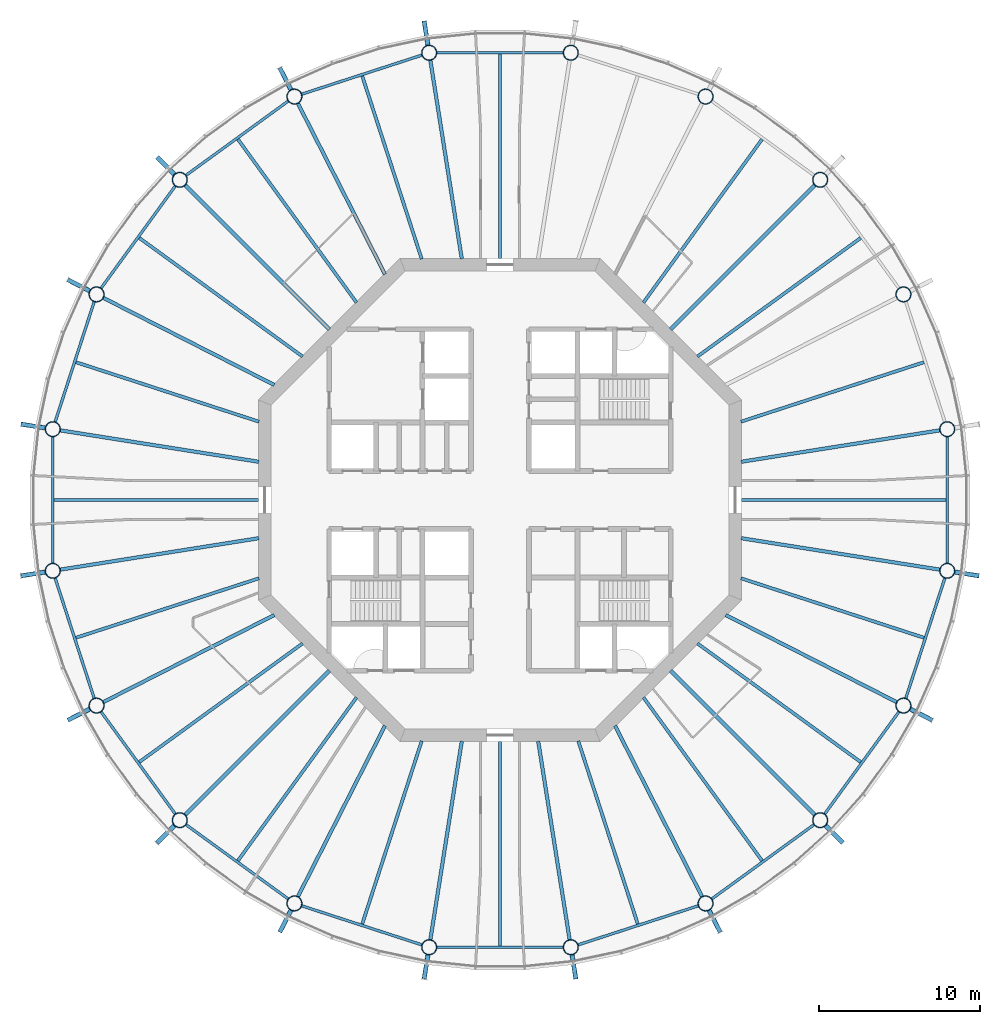
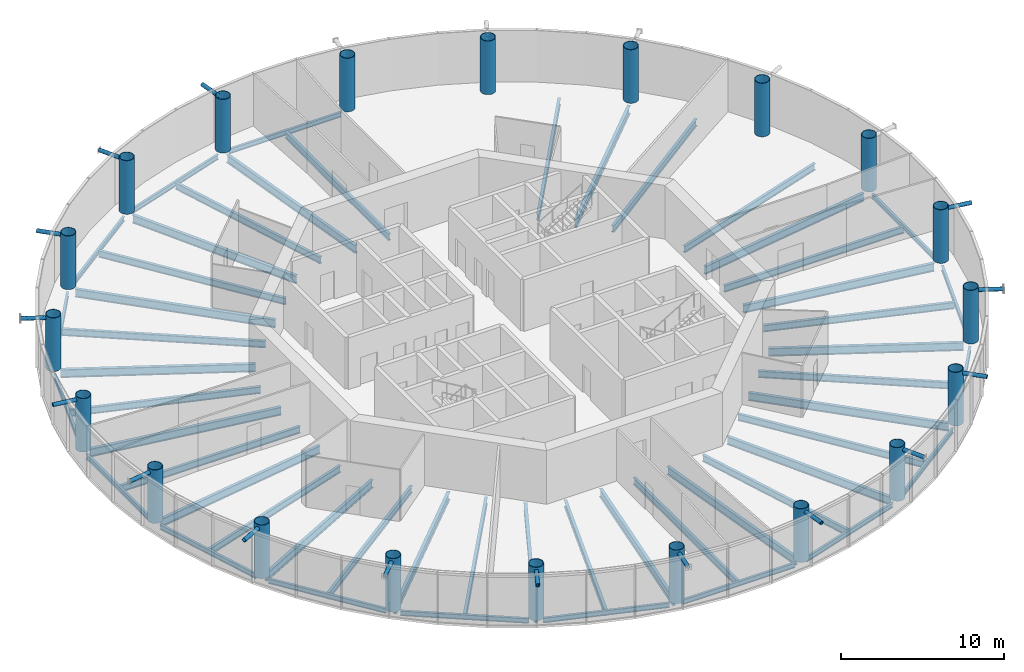
# One storey, part 1 of 17: 52 beams, 20 columns, 15 members.
"""IFC4 building model written with IfcOpenShell, lengths in metres."""

from ifc_helpers import new_model, si_unit, direction, frame, origin, origin_2d, place, context, subcontext, project, spatial, circle, hollow_circle, i_section, extrude, material, material_profile, profile_set, type_object, element, save


model = new_model("IFC4")

# Units and contexts
model_context = context("Model", 3, precision=1e-05, world=origin(), true_north=direction((0.0, 1.0)))
body_context = subcontext(model_context, "Body", "Model", "MODEL_VIEW")
ifc_project = project(units=[si_unit("LENGTHUNIT", "METRE"), si_unit("AREAUNIT", "SQUARE_METRE"), si_unit("VOLUMEUNIT", "CUBIC_METRE"), si_unit("PLANEANGLEUNIT", "RADIAN"), si_unit("MASSUNIT", "GRAM", prefix="KILO")], contexts=[model_context])

# Site, building, storey
site_placement = place(None, origin())
site = spatial("IfcSite", under=ifc_project, at=site_placement, CompositionType="ELEMENT")
building_placement = place(site_placement, origin())
building = spatial("IfcBuilding", under=site, at=building_placement, Name="Entoto Ring Tower", CompositionType="ELEMENT")
storey_placement = place(building_placement, frame((0.0, 0.0, 306.0)))
storey = spatial("IfcBuildingStorey", under=building, at=storey_placement, Name="L70", CompositionType="ELEMENT", Elevation=306.0)

# Columns
ifc_material_1 = material(Name="Steel S355", Category="steel")
ifc_material_profile_1 = material_profile(ifc_material_1, hollow_circle(Radius=0.47509765625, WallThickness=0.034912109375, at=origin_2d()), Name="CHS 950 x 35")
ifc_material_2 = material(Name="Concrete C60/75", Category="concrete")
ifc_material_profile_2 = material_profile(ifc_material_2, circle(Radius=0.43994140625, at=origin_2d()), Name="Concrete C60/75 infill")
ifc_profile_set_1 = profile_set([ifc_material_profile_1, ifc_material_profile_2], Name="Steel S355")
column_type = type_object("IfcColumnType", Name="Ring column 950 x 35 concrete-filled tube", PredefinedType="COLUMN", material=ifc_profile_set_1)
for number, where, z_axis, x_axis, name in (
    (1, (117.754150390625, 84.395751953125, 0.0), (0.0, 0.0, 1.0), (1.0, 0.0, 0.0), "RC5 R01"),
    (2, (115.037353515625, 92.757080078125, 0.0), (0.0, 0.0, 1.0), (1.0, 0.0, 0.0), "RC5 R02"),
    (3, (109.86962890625, 99.86962890625, 0.0), (0.0, 0.0, 1.0), (1.0, 0.0, 0.0), "RC5 R03"),
    (4, (102.757080078125, 105.037353515625, 0.0), (0.0, 0.0, 1.0), (1.0, 0.0, 0.0), "RC5 R04"),
    (5, (94.395751953125, 107.754150390625, 0.0), (0.0, 0.0, 1.0), (1.0, 0.0, 0.0), "RC5 R05"),
    (6, (85.604248046875, 107.754150390625, 0.0), (0.0, 0.0, 1.0), (1.0, 0.0, 0.0), "RC5 R06"),
    (7, (77.242919921875, 105.037353515625, 0.0), (0.0, 0.0, 1.0), (1.0, 0.0, 0.0), "RC5 R07"),
    (8, (70.13037109375, 99.86962890625, 0.0), (0.0, 0.0, 1.0), (1.0, 0.0, 0.0), "RC5 R08"),
    (9, (64.962646484375, 92.757080078125, 0.0), (0.0, 0.0, 1.0), (1.0, 0.0, 0.0), "RC5 R09"),
    (10, (62.245849609375, 84.395751953125, 0.0), (0.0, 0.0, 1.0), (1.0, 0.0, 0.0), "RC5 R10"),
    (11, (62.245849609375, 75.604248046875, 0.0), (0.0, 0.0, 1.0), (1.0, 0.0, 0.0), "RC5 R11"),
    (12, (64.962646484375, 67.242919921875, 0.0), (0.0, 0.0, 1.0), (1.0, 0.0, 0.0), "RC5 R12"),
    (13, (70.13037109375, 60.13037109375, 0.0), (0.0, 0.0, 1.0), (1.0, 0.0, 0.0), "RC5 R13"),
    (14, (77.242919921875, 54.962646484375, 0.0), (0.0, 0.0, 1.0), (1.0, 0.0, 0.0), "RC5 R14"),
    (15, (85.604248046875, 52.245849609375, 0.0), (0.0, 0.0, 1.0), (1.0, 0.0, 0.0), "RC5 R15"),
    (16, (94.395751953125, 52.245849609375, 0.0), (0.0, 0.0, 1.0), (1.0, 0.0, 0.0), "RC5 R16"),
    (17, (102.757080078125, 54.962646484375, 0.0), (0.0, 0.0, 1.0), (1.0, 0.0, 0.0), "RC5 R17"),
    (18, (109.86962890625, 60.13037109375, 0.0), (0.0, 0.0, 1.0), (1.0, 0.0, 0.0), "RC5 R18"),
    (19, (115.037353515625, 67.242919921875, 0.0), (0.0, 0.0, 1.0), (1.0, 0.0, 0.0), "RC5 R19"),
    (20, (117.754150390625, 75.604248046875, 0.0), (0.0, 0.0, 1.0), (1.0, 0.0, 0.0), "RC5 R20"),
):
    element("IfcColumn", number, at=place(storey_placement, frame(where, z_axis=z_axis, x_axis=x_axis)), inside=storey, type_object=column_type, Name=name, PredefinedType="COLUMN", context=body_context, shape_type="SweptSolid", body=[
        extrude(hollow_circle(Radius=0.47509765625, WallThickness=0.034912109375, at=origin_2d()), origin(), (0.0, 0.0, 1.0), 4.0),
    ])

# Members
ifc_material_3 = material(Name="Steel S355", Category="steel")
ifc_material_profile_3 = material_profile(ifc_material_3, hollow_circle(Radius=0.136474609375, WallThickness=0.012451171875, at=origin_2d()), Name="CHS 273 x 12.5")
ifc_material_4 = material(Name="Concrete C60/75", Category="concrete")
ifc_material_profile_4 = material_profile(ifc_material_4, circle(Radius=0.1240234375, at=origin_2d()), Name="Concrete C60/75 infill")
ifc_profile_set_2 = profile_set([ifc_material_profile_3, ifc_material_profile_4], Name="Steel S355")
member_type = type_object("IfcMemberType", Name="Diagrid node strut 273 x 12.5", PredefinedType="STRUT", material=ifc_profile_set_2)
for number, where, z_axis, x_axis, name in (
    (21, (85.5361328125, 108.18359375, 3.71337890625), (-0.156451161263, 0.987685696029, 0.0), (-0.987685696029, -0.156451161263, 0.0), "DS2 strut ring 23 05"),
    (22, (77.04541015625, 105.4248046875, 3.71337890625), (-0.45393980222, 0.891032354048, 0.0), (-0.891032354048, -0.45393980222, 0.0), "DS2 strut ring 23 06"),
    (23, (69.82275390625, 100.17724609375, 3.71337890625), (-0.707106781187, 0.707106781187, 0.0), (-0.707106781187, -0.707106781187, 0.0), "DS2 strut ring 23 07"),
    (24, (64.5751953125, 92.95458984375, 3.71337890625), (-0.891032354048, 0.45393980222, 0.0), (-0.45393980222, -0.891032354048, 0.0), "DS2 strut ring 23 08"),
    (25, (61.81640625, 84.4638671875, 3.71337890625), (-0.987685696029, 0.156451161263, 0.0), (-0.156451161263, -0.987685696029, 0.0), "DS2 strut ring 23 09"),
    (26, (61.81640625, 75.5361328125, 3.71337890625), (-0.987685696029, -0.156451161263, 0.0), (0.156451161263, -0.987685696029, 0.0), "DS2 strut ring 23 10"),
    (27, (64.5751953125, 67.04541015625, 3.71337890625), (-0.891032354048, -0.45393980222, 0.0), (0.45393980222, -0.891032354048, 0.0), "DS2 strut ring 23 11"),
    (28, (69.82275390625, 59.82275390625, 3.71337890625), (-0.707106781187, -0.707106781187, 0.0), (0.707106781187, -0.707106781187, 0.0), "DS2 strut ring 23 12"),
    (29, (77.04541015625, 54.5751953125, 3.71337890625), (-0.45393980222, -0.891032354048, 0.0), (0.891032354048, -0.45393980222, 0.0), "DS2 strut ring 23 13"),
    (30, (85.5361328125, 51.81640625, 3.71337890625), (-0.156451161263, -0.987685696029, 0.0), (0.987685696029, -0.156451161263, 0.0), "DS2 strut ring 23 14"),
    (31, (94.4638671875, 51.81640625, 3.71337890625), (0.156451161263, -0.987685696029, 0.0), (0.987685696029, 0.156451161263, 0.0), "DS2 strut ring 23 15"),
    (32, (102.95458984375, 54.5751953125, 3.71337890625), (0.45393980222, -0.891032354048, 0.0), (0.891032354048, 0.45393980222, 0.0), "DS2 strut ring 23 16"),
    (33, (110.17724609375, 59.82275390625, 3.71337890625), (0.707106781187, -0.707106781187, 0.0), (0.707106781187, 0.707106781187, 0.0), "DS2 strut ring 23 17"),
    (34, (115.4248046875, 67.04541015625, 3.71337890625), (0.891032354048, -0.45393980222, 0.0), (0.45393980222, 0.891032354048, 0.0), "DS2 strut ring 23 18"),
    (35, (118.18359375, 75.5361328125, 3.71337890625), (0.987685696029, -0.156451161263, 0.0), (0.156451161263, 0.987685696029, 0.0), "DS2 strut ring 23 19"),
):
    element("IfcMember", number, at=place(storey_placement, frame(where, z_axis=z_axis, x_axis=x_axis)), inside=storey, type_object=member_type, Name=name, PredefinedType="STRUT", context=body_context, shape_type="SweptSolid", body=[
        extrude(hollow_circle(Radius=0.136474609375, WallThickness=0.012451171875, at=origin_2d()), origin(), (0.0, 0.0, 1.0), 1.565185546875),
    ])

# Beams
ifc_material_5 = material(Name="Steel S355", Category="steel")
ifc_material_profile_5 = material_profile(ifc_material_5, i_section(OverallWidth=0.169921875, OverallDepth=0.360107421875, WebThickness=0.008056640625, FlangeThickness=0.0126953125, FilletRadius=0.01806640625, at=origin_2d()), Name="IPE 360")
ifc_profile_set_3 = profile_set([ifc_material_profile_5], Name="Steel S355")
beam_type_1 = type_object("IfcBeamType", Name="Edge beam IPE 360", PredefinedType="SPANDREL", material=ifc_profile_set_3)
for number, where, z_axis, x_axis, name in (
    (36, (93.948486328125, 107.754150390625, -0.330078125), (-1.0, 0.0, 0.0), (0.0, -1.0, 0.0), "Edge beam L70 05"),
    (37, (85.1787109375, 107.61572265625, -0.330078125), (-0.951061101079, -0.309002883506, 0.0), (0.309002883506, -0.951061101079, 0.0), "Edge beam L70 06"),
):
    element("IfcBeam", number, at=place(storey_placement, frame(where, z_axis=z_axis, x_axis=x_axis)), inside=storey, type_object=beam_type_1, Name=name, PredefinedType="SPANDREL", context=body_context, shape_type="SweptSolid", body=[
        extrude(i_section(OverallWidth=0.169921875, OverallDepth=0.360107421875, WebThickness=0.008056640625, FlangeThickness=0.0126953125, FilletRadius=0.01806640625, at=origin_2d()), origin(), (0.0, 0.0, 1.0), 7.89697265625),
    ])
for number, where, z_axis, x_axis, name in (
    (38, (76.881103515625, 104.7744140625, -0.330078125), (-0.809015398073, -0.587787449408, 0.0), (0.587787449408, -0.809015398073, 0.0), "Edge beam L70 07"),
    (39, (69.867431640625, 99.5078125, -0.330078125), (-0.587787449408, -0.809015398073, 0.0), (0.809015398073, -0.587787449408, 0.0), "Edge beam L70 08"),
):
    element("IfcBeam", number, at=place(storey_placement, frame(where, z_axis=z_axis, x_axis=x_axis)), inside=storey, type_object=beam_type_1, Name=name, PredefinedType="SPANDREL", context=body_context, shape_type="SweptSolid", body=[
        extrude(i_section(OverallWidth=0.169921875, OverallDepth=0.360107421875, WebThickness=0.008056640625, FlangeThickness=0.0126953125, FilletRadius=0.01806640625, at=origin_2d()), origin(), (0.0, 0.0, 1.0), 7.897216796875),
    ])
for number, where, z_axis, x_axis, name in (
    (40, (64.824462890625, 92.331787109375, -0.330078125), (-0.309002883506, -0.951061101079, 0.0), (0.951061101079, -0.309002883506, 0.0), "Edge beam L70 09"),
    (41, (62.245849609375, 83.948486328125, -0.330078125), (0.0, -1.0, 0.0), (1.0, 0.0, 0.0), "Edge beam L70 10"),
    (42, (62.38427734375, 75.1787109375, -0.330078125), (0.309002883506, -0.951061101079, 0.0), (0.951061101079, 0.309002883506, 0.0), "Edge beam L70 11"),
):
    element("IfcBeam", number, at=place(storey_placement, frame(where, z_axis=z_axis, x_axis=x_axis)), inside=storey, type_object=beam_type_1, Name=name, PredefinedType="SPANDREL", context=body_context, shape_type="SweptSolid", body=[
        extrude(i_section(OverallWidth=0.169921875, OverallDepth=0.360107421875, WebThickness=0.008056640625, FlangeThickness=0.0126953125, FilletRadius=0.01806640625, at=origin_2d()), origin(), (0.0, 0.0, 1.0), 7.89697265625),
    ])
for number, where, z_axis, x_axis, name in (
    (43, (65.2255859375, 66.881103515625, -0.330078125), (0.587787449408, -0.809015398073, 0.0), (0.809015398073, 0.587787449408, 0.0), "Edge beam L70 12"),
    (44, (70.4921875, 59.867431640625, -0.330078125), (0.809015398073, -0.587787449408, 0.0), (0.587787449408, 0.809015398073, 0.0), "Edge beam L70 13"),
):
    element("IfcBeam", number, at=place(storey_placement, frame(where, z_axis=z_axis, x_axis=x_axis)), inside=storey, type_object=beam_type_1, Name=name, PredefinedType="SPANDREL", context=body_context, shape_type="SweptSolid", body=[
        extrude(i_section(OverallWidth=0.169921875, OverallDepth=0.360107421875, WebThickness=0.008056640625, FlangeThickness=0.0126953125, FilletRadius=0.01806640625, at=origin_2d()), origin(), (0.0, 0.0, 1.0), 7.897216796875),
    ])
for number, where, z_axis, x_axis, name in (
    (45, (77.668212890625, 54.824462890625, -0.330078125), (0.951061101079, -0.309002883506, 0.0), (0.309002883506, 0.951061101079, 0.0), "Edge beam L70 14"),
    (46, (86.051513671875, 52.245849609375, -0.330078125), (1.0, 0.0, 0.0), (0.0, 1.0, 0.0), "Edge beam L70 15"),
    (47, (94.8212890625, 52.38427734375, -0.330078125), (0.951061101079, 0.309002883506, 0.0), (-0.309002883506, 0.951061101079, 0.0), "Edge beam L70 16"),
):
    element("IfcBeam", number, at=place(storey_placement, frame(where, z_axis=z_axis, x_axis=x_axis)), inside=storey, type_object=beam_type_1, Name=name, PredefinedType="SPANDREL", context=body_context, shape_type="SweptSolid", body=[
        extrude(i_section(OverallWidth=0.169921875, OverallDepth=0.360107421875, WebThickness=0.008056640625, FlangeThickness=0.0126953125, FilletRadius=0.01806640625, at=origin_2d()), origin(), (0.0, 0.0, 1.0), 7.89697265625),
    ])
for number, where, z_axis, x_axis, name in (
    (48, (103.118896484375, 55.2255859375, -0.330078125), (0.809015398073, 0.587787449408, 0.0), (-0.587787449408, 0.809015398073, 0.0), "Edge beam L70 17"),
    (49, (110.132568359375, 60.4921875, -0.330078125), (0.587787449408, 0.809015398073, 0.0), (-0.809015398073, 0.587787449408, 0.0), "Edge beam L70 18"),
):
    element("IfcBeam", number, at=place(storey_placement, frame(where, z_axis=z_axis, x_axis=x_axis)), inside=storey, type_object=beam_type_1, Name=name, PredefinedType="SPANDREL", context=body_context, shape_type="SweptSolid", body=[
        extrude(i_section(OverallWidth=0.169921875, OverallDepth=0.360107421875, WebThickness=0.008056640625, FlangeThickness=0.0126953125, FilletRadius=0.01806640625, at=origin_2d()), origin(), (0.0, 0.0, 1.0), 7.897216796875),
    ])
for number, where, z_axis, x_axis, name in (
    (50, (115.175537109375, 67.668212890625, -0.330078125), (0.309002883506, 0.951061101079, 0.0), (-0.951061101079, 0.309002883506, 0.0), "Edge beam L70 19"),
    (51, (117.754150390625, 76.051513671875, -0.330078125), (0.0, 1.0, 0.0), (-1.0, 0.0, 0.0), "Edge beam L70 20"),
):
    element("IfcBeam", number, at=place(storey_placement, frame(where, z_axis=z_axis, x_axis=x_axis)), inside=storey, type_object=beam_type_1, Name=name, PredefinedType="SPANDREL", context=body_context, shape_type="SweptSolid", body=[
        extrude(i_section(OverallWidth=0.169921875, OverallDepth=0.360107421875, WebThickness=0.008056640625, FlangeThickness=0.0126953125, FilletRadius=0.01806640625, at=origin_2d()), origin(), (0.0, 0.0, 1.0), 7.89697265625),
    ])
ifc_material_6 = material(Name="Steel S355", Category="steel")
ifc_material_profile_6 = material_profile(ifc_material_6, i_section(OverallWidth=0.219970703125, OverallDepth=0.60009765625, WebThickness=0.011962890625, FlangeThickness=0.01904296875, FilletRadius=0.02392578125, at=origin_2d()), Name="IPE 600")
ifc_profile_set_4 = profile_set([ifc_material_profile_6], Name="Steel S355")
beam_type_2 = type_object("IfcBeamType", Name="Primary floor beam IPE 600", PredefinedType="BEAM", material=ifc_profile_set_4)
beam_1_placement = place(storey_placement, frame((104.963134765625, 82.369873046875, -0.449951171875), z_axis=(0.987687519796, 0.156439647277, 0.0), x_axis=(-0.156439647277, 0.987687519796, 0.0)))
element("IfcBeam", 52, at=beam_1_placement, inside=storey, type_object=beam_type_2, Name="Primary L70 R01", PredefinedType="BEAM", context=body_context, shape_type="SweptSolid", body=[
    extrude(i_section(OverallWidth=0.219970703125, OverallDepth=0.60009765625, WebThickness=0.011962890625, FlangeThickness=0.01904296875, FilletRadius=0.02392578125, at=origin_2d()), origin(), (0.0, 0.0, 1.0), 12.50830078125),
])
beam_2_placement = place(storey_placement, frame((100.592529296875, 90.592529296875, -0.449951171875), z_axis=(0.707106781187, 0.707106781187, 0.0), x_axis=(-0.707106781187, 0.707106781187, 0.0)))
element("IfcBeam", 53, at=beam_2_placement, inside=storey, type_object=beam_type_2, Name="Primary L70 R03", PredefinedType="BEAM", context=body_context, shape_type="SweptSolid", body=[
    extrude(i_section(OverallWidth=0.219970703125, OverallDepth=0.60009765625, WebThickness=0.011962890625, FlangeThickness=0.01904296875, FilletRadius=0.02392578125, at=origin_2d()), origin(), (0.0, 0.0, 1.0), 12.677978515625),
])
beam_3_placement = place(storey_placement, frame((87.630126953125, 94.963134765625, -0.449951171875), z_axis=(-0.156439647277, 0.987687519796, 0.0), x_axis=(-0.987687519796, -0.156439647277, 0.0)))
element("IfcBeam", 54, at=beam_3_placement, inside=storey, type_object=beam_type_2, Name="Primary L70 R06", PredefinedType="BEAM", context=body_context, shape_type="SweptSolid", body=[
    extrude(i_section(OverallWidth=0.219970703125, OverallDepth=0.60009765625, WebThickness=0.011962890625, FlangeThickness=0.01904296875, FilletRadius=0.02392578125, at=origin_2d()), origin(), (0.0, 0.0, 1.0), 12.50830078125),
])
beam_4_placement = place(storey_placement, frame((82.864990234375, 94.003173828125, -0.449951171875), z_axis=(-0.453988257638, 0.891007666593, 0.0), x_axis=(-0.891007666593, -0.453988257638, 0.0)))
element("IfcBeam", 55, at=beam_4_placement, inside=storey, type_object=beam_type_2, Name="Primary L70 R07", PredefinedType="BEAM", context=body_context, shape_type="SweptSolid", body=[
    extrude(i_section(OverallWidth=0.219970703125, OverallDepth=0.60009765625, WebThickness=0.011962890625, FlangeThickness=0.01904296875, FilletRadius=0.02392578125, at=origin_2d()), origin(), (0.0, 0.0, 1.0), 11.941650390625),
])
beam_5_placement = place(storey_placement, frame((79.407470703125, 90.592529296875, -0.449951171875), z_axis=(-0.707106781187, 0.707106781187, 0.0), x_axis=(-0.707106781187, -0.707106781187, 0.0)))
element("IfcBeam", 56, at=beam_5_placement, inside=storey, type_object=beam_type_2, Name="Primary L70 R08", PredefinedType="BEAM", context=body_context, shape_type="SweptSolid", body=[
    extrude(i_section(OverallWidth=0.219970703125, OverallDepth=0.60009765625, WebThickness=0.011962890625, FlangeThickness=0.01904296875, FilletRadius=0.02392578125, at=origin_2d()), origin(), (0.0, 0.0, 1.0), 12.677978515625),
])
beam_6_placement = place(storey_placement, frame((75.996826171875, 87.135009765625, -0.449951171875), z_axis=(-0.891007666593, 0.453988257638, 0.0), x_axis=(-0.453988257638, -0.891007666593, 0.0)))
element("IfcBeam", 57, at=beam_6_placement, inside=storey, type_object=beam_type_2, Name="Primary L70 R09", PredefinedType="BEAM", context=body_context, shape_type="SweptSolid", body=[
    extrude(i_section(OverallWidth=0.219970703125, OverallDepth=0.60009765625, WebThickness=0.011962890625, FlangeThickness=0.01904296875, FilletRadius=0.02392578125, at=origin_2d()), origin(), (0.0, 0.0, 1.0), 11.941650390625),
])
for number, where, z_axis, x_axis, name in (
    (58, (75.036865234375, 82.369873046875, -0.449951171875), (-0.987687519796, 0.156439647277, 0.0), (-0.156439647277, -0.987687519796, 0.0), "Primary L70 R10"),
    (59, (75.036865234375, 77.630126953125, -0.449951171875), (-0.987687519796, -0.156439647277, 0.0), (0.156439647277, -0.987687519796, 0.0), "Primary L70 R11"),
):
    element("IfcBeam", number, at=place(storey_placement, frame(where, z_axis=z_axis, x_axis=x_axis)), inside=storey, type_object=beam_type_2, Name=name, PredefinedType="BEAM", context=body_context, shape_type="SweptSolid", body=[
        extrude(i_section(OverallWidth=0.219970703125, OverallDepth=0.60009765625, WebThickness=0.011962890625, FlangeThickness=0.01904296875, FilletRadius=0.02392578125, at=origin_2d()), origin(), (0.0, 0.0, 1.0), 12.50830078125),
    ])
beam_7_placement = place(storey_placement, frame((75.996826171875, 72.864990234375, -0.449951171875), z_axis=(-0.891007666593, -0.453988257638, 0.0), x_axis=(0.453988257638, -0.891007666593, 0.0)))
element("IfcBeam", 60, at=beam_7_placement, inside=storey, type_object=beam_type_2, Name="Primary L70 R12", PredefinedType="BEAM", context=body_context, shape_type="SweptSolid", body=[
    extrude(i_section(OverallWidth=0.219970703125, OverallDepth=0.60009765625, WebThickness=0.011962890625, FlangeThickness=0.01904296875, FilletRadius=0.02392578125, at=origin_2d()), origin(), (0.0, 0.0, 1.0), 11.941650390625),
])
beam_8_placement = place(storey_placement, frame((79.407470703125, 69.407470703125, -0.449951171875), z_axis=(-0.707106781187, -0.707106781187, 0.0), x_axis=(0.707106781187, -0.707106781187, 0.0)))
element("IfcBeam", 61, at=beam_8_placement, inside=storey, type_object=beam_type_2, Name="Primary L70 R13", PredefinedType="BEAM", context=body_context, shape_type="SweptSolid", body=[
    extrude(i_section(OverallWidth=0.219970703125, OverallDepth=0.60009765625, WebThickness=0.011962890625, FlangeThickness=0.01904296875, FilletRadius=0.02392578125, at=origin_2d()), origin(), (0.0, 0.0, 1.0), 12.677978515625),
])
beam_9_placement = place(storey_placement, frame((82.864990234375, 65.996826171875, -0.449951171875), z_axis=(-0.453988257638, -0.891007666593, 0.0), x_axis=(0.891007666593, -0.453988257638, 0.0)))
element("IfcBeam", 62, at=beam_9_placement, inside=storey, type_object=beam_type_2, Name="Primary L70 R14", PredefinedType="BEAM", context=body_context, shape_type="SweptSolid", body=[
    extrude(i_section(OverallWidth=0.219970703125, OverallDepth=0.60009765625, WebThickness=0.011962890625, FlangeThickness=0.01904296875, FilletRadius=0.02392578125, at=origin_2d()), origin(), (0.0, 0.0, 1.0), 11.941650390625),
])
for number, where, z_axis, x_axis, name in (
    (63, (87.630126953125, 65.036865234375, -0.449951171875), (-0.156439647277, -0.987687519796, 0.0), (0.987687519796, -0.156439647277, 0.0), "Primary L70 R15"),
    (64, (92.369873046875, 65.036865234375, -0.449951171875), (0.156439647277, -0.987687519796, 0.0), (0.987687519796, 0.156439647277, 0.0), "Primary L70 R16"),
):
    element("IfcBeam", number, at=place(storey_placement, frame(where, z_axis=z_axis, x_axis=x_axis)), inside=storey, type_object=beam_type_2, Name=name, PredefinedType="BEAM", context=body_context, shape_type="SweptSolid", body=[
        extrude(i_section(OverallWidth=0.219970703125, OverallDepth=0.60009765625, WebThickness=0.011962890625, FlangeThickness=0.01904296875, FilletRadius=0.02392578125, at=origin_2d()), origin(), (0.0, 0.0, 1.0), 12.50830078125),
    ])
beam_10_placement = place(storey_placement, frame((97.135009765625, 65.996826171875, -0.449951171875), z_axis=(0.453988257638, -0.891007666593, 0.0), x_axis=(0.891007666593, 0.453988257638, 0.0)))
element("IfcBeam", 65, at=beam_10_placement, inside=storey, type_object=beam_type_2, Name="Primary L70 R17", PredefinedType="BEAM", context=body_context, shape_type="SweptSolid", body=[
    extrude(i_section(OverallWidth=0.219970703125, OverallDepth=0.60009765625, WebThickness=0.011962890625, FlangeThickness=0.01904296875, FilletRadius=0.02392578125, at=origin_2d()), origin(), (0.0, 0.0, 1.0), 11.941650390625),
])
beam_11_placement = place(storey_placement, frame((100.592529296875, 69.407470703125, -0.449951171875), z_axis=(0.707106781187, -0.707106781187, 0.0), x_axis=(0.707106781187, 0.707106781187, 0.0)))
element("IfcBeam", 66, at=beam_11_placement, inside=storey, type_object=beam_type_2, Name="Primary L70 R18", PredefinedType="BEAM", context=body_context, shape_type="SweptSolid", body=[
    extrude(i_section(OverallWidth=0.219970703125, OverallDepth=0.60009765625, WebThickness=0.011962890625, FlangeThickness=0.01904296875, FilletRadius=0.02392578125, at=origin_2d()), origin(), (0.0, 0.0, 1.0), 12.677978515625),
])
beam_12_placement = place(storey_placement, frame((104.003173828125, 72.864990234375, -0.449951171875), z_axis=(0.891007666593, -0.453988257638, 0.0), x_axis=(0.453988257638, 0.891007666593, 0.0)))
element("IfcBeam", 67, at=beam_12_placement, inside=storey, type_object=beam_type_2, Name="Primary L70 R19", PredefinedType="BEAM", context=body_context, shape_type="SweptSolid", body=[
    extrude(i_section(OverallWidth=0.219970703125, OverallDepth=0.60009765625, WebThickness=0.011962890625, FlangeThickness=0.01904296875, FilletRadius=0.02392578125, at=origin_2d()), origin(), (0.0, 0.0, 1.0), 11.941650390625),
])
beam_13_placement = place(storey_placement, frame((104.963134765625, 77.630126953125, -0.449951171875), z_axis=(0.987687519796, -0.156439647277, 0.0), x_axis=(0.156439647277, 0.987687519796, 0.0)))
element("IfcBeam", 68, at=beam_13_placement, inside=storey, type_object=beam_type_2, Name="Primary L70 R20", PredefinedType="BEAM", context=body_context, shape_type="SweptSolid", body=[
    extrude(i_section(OverallWidth=0.219970703125, OverallDepth=0.60009765625, WebThickness=0.011962890625, FlangeThickness=0.01904296875, FilletRadius=0.02392578125, at=origin_2d()), origin(), (0.0, 0.0, 1.0), 12.50830078125),
])
ifc_material_7 = material(Name="Steel S355", Category="steel")
ifc_material_profile_7 = material_profile(ifc_material_7, i_section(OverallWidth=0.199951171875, OverallDepth=0.5, WebThickness=0.01025390625, FlangeThickness=0.01611328125, FilletRadius=0.02099609375, at=origin_2d()), Name="IPE 500")
ifc_profile_set_5 = profile_set([ifc_material_profile_7], Name="Steel S355")
beam_type_3 = type_object("IfcBeamType", Name="Secondary floor beam IPE 500", PredefinedType="JOIST", material=ifc_profile_set_5)
beam_14_placement = place(storey_placement, frame((104.9501953125, 84.857666015625, -0.39990234375), z_axis=(0.951056587506, 0.30901677521, 0.0), x_axis=(-0.30901677521, 0.951056587506, 0.0)))
element("IfcBeam", 69, at=beam_14_placement, inside=storey, type_object=beam_type_3, Name="Secondary beam L70 01", PredefinedType="JOIST", context=body_context, shape_type="SweptSolid", body=[
    extrude(i_section(OverallWidth=0.199951171875, OverallDepth=0.5, WebThickness=0.01025390625, FlangeThickness=0.01611328125, FilletRadius=0.02099609375, at=origin_2d()), origin(), (0.0, 0.0, 1.0), 11.94970703125),
])
for number, where, z_axis, x_axis, name in (
    (70, (102.257568359375, 88.905517578125, -0.39990234375), (0.80901431041, 0.587788946436, 0.0), (-0.587788946436, 0.80901431041, 0.0), "Secondary beam L70 02"),
    (71, (98.905517578125, 92.257568359375, -0.39990234375), (0.587788946436, 0.80901431041, 0.0), (-0.80901431041, 0.587788946436, 0.0), "Secondary beam L70 03"),
):
    element("IfcBeam", number, at=place(storey_placement, frame(where, z_axis=z_axis, x_axis=x_axis)), inside=storey, type_object=beam_type_3, Name=name, PredefinedType="JOIST", context=body_context, shape_type="SweptSolid", body=[
        extrude(i_section(OverallWidth=0.199951171875, OverallDepth=0.5, WebThickness=0.01025390625, FlangeThickness=0.01611328125, FilletRadius=0.02099609375, at=origin_2d()), origin(), (0.0, 0.0, 1.0), 12.51806640625),
    ])
beam_15_placement = place(storey_placement, frame((90.0, 94.97998046875, -0.39990234375), z_axis=(0.0, 1.0, 0.0), x_axis=(-1.0, 0.0, 0.0)))
element("IfcBeam", 72, at=beam_15_placement, inside=storey, type_object=beam_type_3, Name="Secondary beam L70 05", PredefinedType="JOIST", context=body_context, shape_type="SweptSolid", body=[
    extrude(i_section(OverallWidth=0.199951171875, OverallDepth=0.5, WebThickness=0.01025390625, FlangeThickness=0.01611328125, FilletRadius=0.02099609375, at=origin_2d()), origin(), (0.0, 0.0, 1.0), 12.68896484375),
])
beam_16_placement = place(storey_placement, frame((85.142333984375, 94.9501953125, -0.39990234375), z_axis=(-0.30901677521, 0.951056587506, 0.0), x_axis=(-0.951056587506, -0.30901677521, 0.0)))
element("IfcBeam", 73, at=beam_16_placement, inside=storey, type_object=beam_type_3, Name="Secondary beam L70 06", PredefinedType="JOIST", context=body_context, shape_type="SweptSolid", body=[
    extrude(i_section(OverallWidth=0.199951171875, OverallDepth=0.5, WebThickness=0.01025390625, FlangeThickness=0.01611328125, FilletRadius=0.02099609375, at=origin_2d()), origin(), (0.0, 0.0, 1.0), 11.94970703125),
])
for number, where, z_axis, x_axis, name in (
    (74, (81.094482421875, 92.257568359375, -0.39990234375), (-0.587788946436, 0.80901431041, 0.0), (-0.80901431041, -0.587788946436, 0.0), "Secondary beam L70 07"),
    (75, (77.742431640625, 88.905517578125, -0.39990234375), (-0.80901431041, 0.587788946436, 0.0), (-0.587788946436, -0.80901431041, 0.0), "Secondary beam L70 08"),
):
    element("IfcBeam", number, at=place(storey_placement, frame(where, z_axis=z_axis, x_axis=x_axis)), inside=storey, type_object=beam_type_3, Name=name, PredefinedType="JOIST", context=body_context, shape_type="SweptSolid", body=[
        extrude(i_section(OverallWidth=0.199951171875, OverallDepth=0.5, WebThickness=0.01025390625, FlangeThickness=0.01611328125, FilletRadius=0.02099609375, at=origin_2d()), origin(), (0.0, 0.0, 1.0), 12.51806640625),
    ])
beam_17_placement = place(storey_placement, frame((75.0498046875, 84.857666015625, -0.39990234375), z_axis=(-0.951056587506, 0.30901677521, 0.0), x_axis=(-0.30901677521, -0.951056587506, 0.0)))
element("IfcBeam", 76, at=beam_17_placement, inside=storey, type_object=beam_type_3, Name="Secondary beam L70 09", PredefinedType="JOIST", context=body_context, shape_type="SweptSolid", body=[
    extrude(i_section(OverallWidth=0.199951171875, OverallDepth=0.5, WebThickness=0.01025390625, FlangeThickness=0.01611328125, FilletRadius=0.02099609375, at=origin_2d()), origin(), (0.0, 0.0, 1.0), 11.94970703125),
])
beam_18_placement = place(storey_placement, frame((75.02001953125, 80.0, -0.39990234375), z_axis=(-1.0, 0.0, 0.0), x_axis=(0.0, -1.0, 0.0)))
element("IfcBeam", 77, at=beam_18_placement, inside=storey, type_object=beam_type_3, Name="Secondary beam L70 10", PredefinedType="JOIST", context=body_context, shape_type="SweptSolid", body=[
    extrude(i_section(OverallWidth=0.199951171875, OverallDepth=0.5, WebThickness=0.01025390625, FlangeThickness=0.01611328125, FilletRadius=0.02099609375, at=origin_2d()), origin(), (0.0, 0.0, 1.0), 12.68896484375),
])
beam_19_placement = place(storey_placement, frame((75.0498046875, 75.142333984375, -0.39990234375), z_axis=(-0.951056587506, -0.30901677521, 0.0), x_axis=(0.30901677521, -0.951056587506, 0.0)))
element("IfcBeam", 78, at=beam_19_placement, inside=storey, type_object=beam_type_3, Name="Secondary beam L70 11", PredefinedType="JOIST", context=body_context, shape_type="SweptSolid", body=[
    extrude(i_section(OverallWidth=0.199951171875, OverallDepth=0.5, WebThickness=0.01025390625, FlangeThickness=0.01611328125, FilletRadius=0.02099609375, at=origin_2d()), origin(), (0.0, 0.0, 1.0), 11.94970703125),
])
for number, where, z_axis, x_axis, name in (
    (79, (77.742431640625, 71.094482421875, -0.39990234375), (-0.80901431041, -0.587788946436, 0.0), (0.587788946436, -0.80901431041, 0.0), "Secondary beam L70 12"),
    (80, (81.094482421875, 67.742431640625, -0.39990234375), (-0.587788946436, -0.80901431041, 0.0), (0.80901431041, -0.587788946436, 0.0), "Secondary beam L70 13"),
):
    element("IfcBeam", number, at=place(storey_placement, frame(where, z_axis=z_axis, x_axis=x_axis)), inside=storey, type_object=beam_type_3, Name=name, PredefinedType="JOIST", context=body_context, shape_type="SweptSolid", body=[
        extrude(i_section(OverallWidth=0.199951171875, OverallDepth=0.5, WebThickness=0.01025390625, FlangeThickness=0.01611328125, FilletRadius=0.02099609375, at=origin_2d()), origin(), (0.0, 0.0, 1.0), 12.51806640625),
    ])
beam_20_placement = place(storey_placement, frame((85.142333984375, 65.0498046875, -0.39990234375), z_axis=(-0.30901677521, -0.951056587506, 0.0), x_axis=(0.951056587506, -0.30901677521, 0.0)))
element("IfcBeam", 81, at=beam_20_placement, inside=storey, type_object=beam_type_3, Name="Secondary beam L70 14", PredefinedType="JOIST", context=body_context, shape_type="SweptSolid", body=[
    extrude(i_section(OverallWidth=0.199951171875, OverallDepth=0.5, WebThickness=0.01025390625, FlangeThickness=0.01611328125, FilletRadius=0.02099609375, at=origin_2d()), origin(), (0.0, 0.0, 1.0), 11.94970703125),
])
beam_21_placement = place(storey_placement, frame((90.0, 65.02001953125, -0.39990234375), z_axis=(0.0, -1.0, 0.0), x_axis=(1.0, 0.0, 0.0)))
element("IfcBeam", 82, at=beam_21_placement, inside=storey, type_object=beam_type_3, Name="Secondary beam L70 15", PredefinedType="JOIST", context=body_context, shape_type="SweptSolid", body=[
    extrude(i_section(OverallWidth=0.199951171875, OverallDepth=0.5, WebThickness=0.01025390625, FlangeThickness=0.01611328125, FilletRadius=0.02099609375, at=origin_2d()), origin(), (0.0, 0.0, 1.0), 12.68896484375),
])
beam_22_placement = place(storey_placement, frame((94.857666015625, 65.0498046875, -0.39990234375), z_axis=(0.30901677521, -0.951056587506, 0.0), x_axis=(0.951056587506, 0.30901677521, 0.0)))
element("IfcBeam", 83, at=beam_22_placement, inside=storey, type_object=beam_type_3, Name="Secondary beam L70 16", PredefinedType="JOIST", context=body_context, shape_type="SweptSolid", body=[
    extrude(i_section(OverallWidth=0.199951171875, OverallDepth=0.5, WebThickness=0.01025390625, FlangeThickness=0.01611328125, FilletRadius=0.02099609375, at=origin_2d()), origin(), (0.0, 0.0, 1.0), 11.94970703125),
])
for number, where, z_axis, x_axis, name in (
    (84, (98.905517578125, 67.742431640625, -0.39990234375), (0.587788946436, -0.80901431041, 0.0), (0.80901431041, 0.587788946436, 0.0), "Secondary beam L70 17"),
    (85, (102.257568359375, 71.094482421875, -0.39990234375), (0.80901431041, -0.587788946436, 0.0), (0.587788946436, 0.80901431041, 0.0), "Secondary beam L70 18"),
):
    element("IfcBeam", number, at=place(storey_placement, frame(where, z_axis=z_axis, x_axis=x_axis)), inside=storey, type_object=beam_type_3, Name=name, PredefinedType="JOIST", context=body_context, shape_type="SweptSolid", body=[
        extrude(i_section(OverallWidth=0.199951171875, OverallDepth=0.5, WebThickness=0.01025390625, FlangeThickness=0.01611328125, FilletRadius=0.02099609375, at=origin_2d()), origin(), (0.0, 0.0, 1.0), 12.51806640625),
    ])
beam_23_placement = place(storey_placement, frame((104.9501953125, 75.142333984375, -0.39990234375), z_axis=(0.951056587506, -0.30901677521, 0.0), x_axis=(0.30901677521, 0.951056587506, 0.0)))
element("IfcBeam", 86, at=beam_23_placement, inside=storey, type_object=beam_type_3, Name="Secondary beam L70 19", PredefinedType="JOIST", context=body_context, shape_type="SweptSolid", body=[
    extrude(i_section(OverallWidth=0.199951171875, OverallDepth=0.5, WebThickness=0.01025390625, FlangeThickness=0.01611328125, FilletRadius=0.02099609375, at=origin_2d()), origin(), (0.0, 0.0, 1.0), 11.94970703125),
])
beam_24_placement = place(storey_placement, frame((104.97998046875, 80.0, -0.39990234375), z_axis=(1.0, 0.0, 0.0), x_axis=(0.0, 1.0, 0.0)))
element("IfcBeam", 87, at=beam_24_placement, inside=storey, type_object=beam_type_3, Name="Secondary beam L70 20", PredefinedType="JOIST", context=body_context, shape_type="SweptSolid", body=[
    extrude(i_section(OverallWidth=0.199951171875, OverallDepth=0.5, WebThickness=0.01025390625, FlangeThickness=0.01611328125, FilletRadius=0.02099609375, at=origin_2d()), origin(), (0.0, 0.0, 1.0), 12.68896484375),
])

save(model, "model.ifc")
